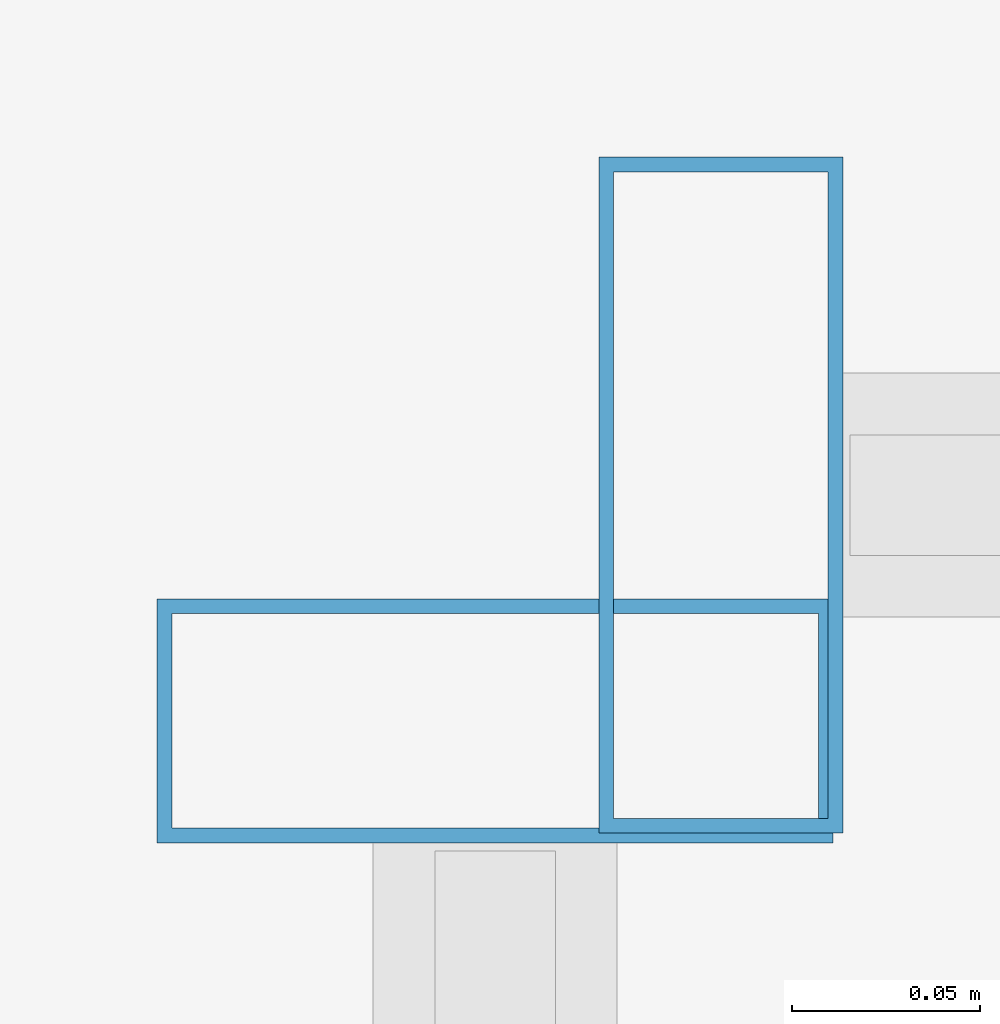
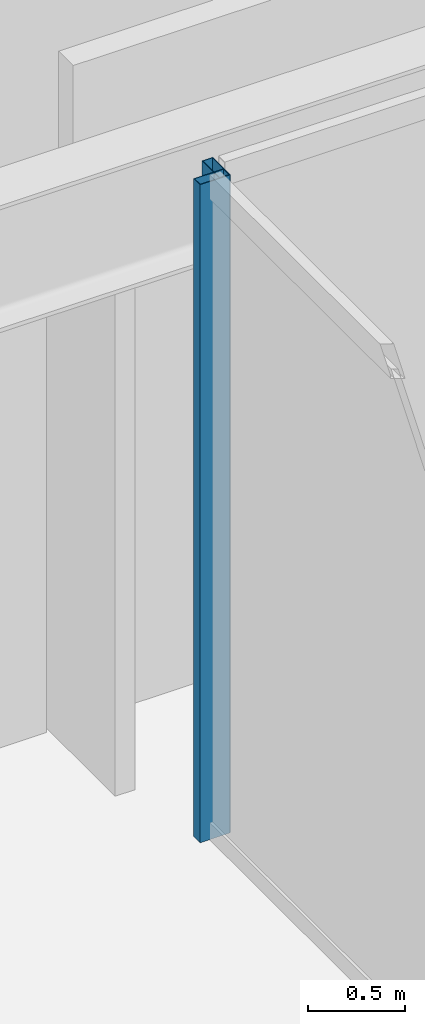
# One storey, part 24 of 47: 2 members, 2 elements without a shape of their own.
"""IFC4 building model written with IfcOpenShell, lengths in metres."""

from ifc_helpers import new_model, si_unit, direction, frame, origin, origin_2d, place, context, subcontext, project, spatial, hollow_rectangle, extrude, material, material_profile, profile_set, type_object, element, aggregate, save


model = new_model("IFC4")

# Units and contexts
model_context = context("Model", 3, precision=1e-05, world=origin(), true_north=direction((0.0, 1.0)))
body_context = subcontext(model_context, "Body", "Model", "MODEL_VIEW")
ifc_project = project(units=[si_unit("LENGTHUNIT", "METRE"), si_unit("AREAUNIT", "SQUARE_METRE"), si_unit("VOLUMEUNIT", "CUBIC_METRE"), si_unit("PLANEANGLEUNIT", "RADIAN"), si_unit("MASSUNIT", "GRAM", prefix="KILO")], contexts=[model_context])

# Site, building, storey
site_placement = place(None, origin())
site = spatial("IfcSite", under=ifc_project, at=site_placement, CompositionType="ELEMENT")
building_placement = place(site_placement, origin())
building = spatial("IfcBuilding", under=site, at=building_placement, Name="Saevonmaru Cultural Tower", CompositionType="ELEMENT")
storey_placement = place(building_placement, frame((0.0, 0.0, 56.0)))
storey = spatial("IfcBuildingStorey", under=building, at=storey_placement, Name="L11", CompositionType="ELEMENT", Elevation=56.0)

# Curtain wall, member
ifc_material = material(Name="Satin Bronze Anodised Aluminium", Category="aluminium")
curtain_wall_type = type_object("IfcCurtainWallType", Name="CW-ATR-GLZ", PredefinedType="NOTDEFINED", material=ifc_material)
curtain_wall_1_placement = place(storey_placement, origin())
curtain_wall_1 = element("IfcCurtainWall", 1, at=curtain_wall_1_placement, inside=storey, type_object=curtain_wall_type, Name="L11 Vertical Atrium Glazed Smoke Screen 3", PredefinedType="NOTDEFINED")
ifc_material_profile = material_profile(ifc_material, hollow_rectangle(XDim=0.06494140625, YDim=0.179931640625, WallThickness=0.00390625, at=origin_2d()), Name="ALU-MULL-180x65x4")
ifc_profile_set = profile_set([ifc_material_profile], Name="Satin Bronze Anodised Aluminium")
member_type = type_object("IfcMemberType", Name="ML-CW-INT-180x65", PredefinedType="MULLION", material=ifc_profile_set)
member_1_placement = place(storey_placement, frame((24.110107421875, 38.110107421875, 0.0), z_axis=(0.0, 0.0, 1.0), x_axis=(-1.0, 0.0, 0.0)))
member_1 = element("IfcMember", 2, at=member_1_placement, type_object=member_type, Name="CW-ATR-L11-3 mullion 2", PredefinedType="MULLION", context=body_context, shape_type="SweptSolid", body=[
    extrude(hollow_rectangle(XDim=0.06494140625, YDim=0.179931640625, WallThickness=0.00390625, at=origin_2d()), origin(), (0.0, 0.0, 1.0), 4.14990234375),
])
aggregate(curtain_wall_1, [member_1])

curtain_wall_2_placement = place(storey_placement, origin())
curtain_wall_2 = element("IfcCurtainWall", 3, at=curtain_wall_2_placement, inside=storey, type_object=curtain_wall_type, Name="L11 Vertical Atrium Glazed Smoke Screen 4", PredefinedType="NOTDEFINED")
member_2_placement = place(storey_placement, frame((24.050048828125, 38.050048828125, 0.0), z_axis=(0.0, 0.0, 1.0), x_axis=(0.0, -1.0, 0.0)))
member_2 = element("IfcMember", 4, at=member_2_placement, type_object=member_type, Name="CW-ATR-L11-4 mullion 1", PredefinedType="MULLION", context=body_context, shape_type="SweptSolid", body=[
    extrude(hollow_rectangle(XDim=0.06494140625, YDim=0.179931640625, WallThickness=0.00390625, at=origin_2d()), origin(), (0.0, 0.0, 1.0), 4.14990234375),
])
aggregate(curtain_wall_2, [member_2])

save(model, "model.ifc")
